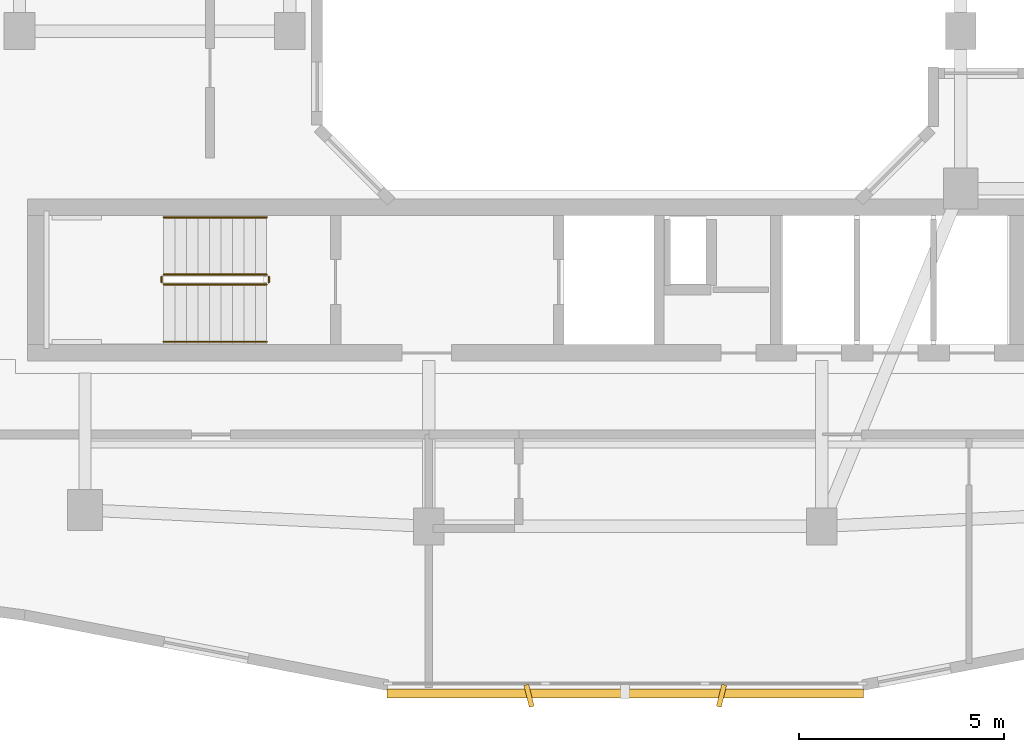
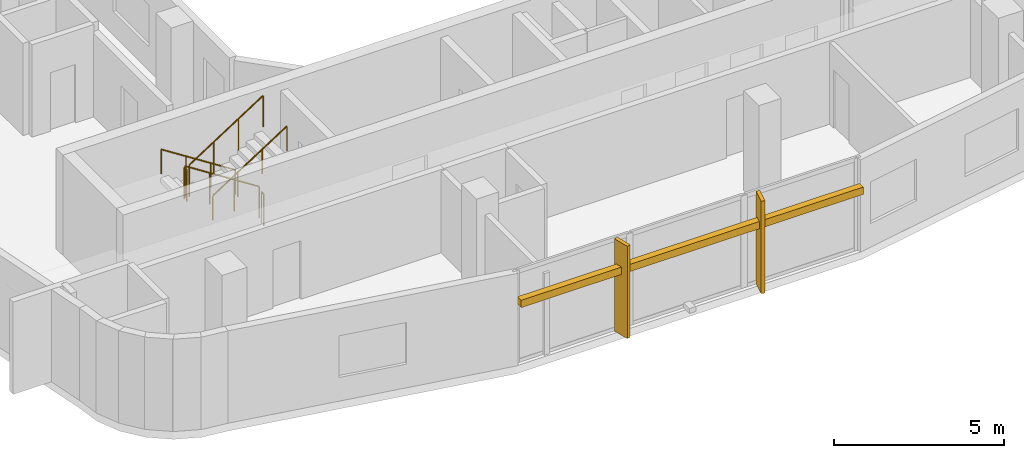
# One storey, part 9 of 12: 6 railings, 3 shading devices.
"""IFC4 building model written with IfcOpenShell, lengths in metres."""

from ifc_helpers import new_model, si_unit, derived_unit, direction, frame, origin, origin_2d, place, context, subcontext, project, spatial, rectangle, circle, extrude, material, type_object, element, save


model = new_model("IFC4")

# Units and contexts
model_context = context("Model", 3, precision=1e-05, world=origin(), true_north=direction((0.0, 1.0)))
body_context = subcontext(model_context, "Body", "Model", "MODEL_VIEW")
ifc_project = project(units=[si_unit("LENGTHUNIT", "METRE"), si_unit("AREAUNIT", "SQUARE_METRE"), si_unit("VOLUMEUNIT", "CUBIC_METRE"), si_unit("PLANEANGLEUNIT", "RADIAN"), si_unit("MASSUNIT", "GRAM", prefix="KILO"), derived_unit("THERMALTRANSMITTANCEUNIT", [(si_unit("POWERUNIT", "WATT"), 1), (si_unit("LENGTHUNIT", "METRE"), -2), (si_unit("THERMODYNAMICTEMPERATUREUNIT", "KELVIN"), -1)])], contexts=[model_context])

# Site, building, storey
site_placement = place(None, origin())
site = spatial("IfcSite", under=ifc_project, at=site_placement, CompositionType="ELEMENT")
building_placement = place(site_placement, origin())
building = spatial("IfcBuilding", under=site, at=building_placement, Name="Kivonza Crest Hotel", CompositionType="ELEMENT")
storey_placement = place(building_placement, frame((0.0, 0.0, 191.89990234375)))
storey = spatial("IfcBuildingStorey", under=building, at=storey_placement, Name="L52", CompositionType="ELEMENT", Elevation=191.89990234375)

# Railings
ifc_material_1 = material(Name="Brushed stainless steel handrail", Category="steel")
railing_type_1 = type_object("IfcRailingType", Name="RL-HAND-900", PredefinedType="HANDRAIL", material=ifc_material_1)
railing_1_placement = place(storey_placement, frame((12.239990234375, 16.949951171875, 0.18017578125)))
element("IfcRailing", 1, at=railing_1_placement, inside=storey, type_object=railing_type_1, Name="L52 ST-T1-S stair handrail 1", PredefinedType="HANDRAIL", context=body_context, shape_type="SweptSolid", body=[
    extrude(circle(Radius=0.02392578125, at=origin_2d()), frame((0.0, 0.0, 0.8759765625), z_axis=(-0.841199657755, 0.0, 0.540724639528), x_axis=(0.0, -1.0, 0.0)), (0.0, 0.0, 1.0), 2.995849609375),
    extrude(circle(Radius=0.02099609375, at=origin_2d()), origin(), (0.0, 0.0, 1.0), 0.851806640625),
    extrude(circle(Radius=0.02099609375, at=origin_2d()), frame((-0.840087890625, 0.0, 0.5400390625)), (0.0, 0.0, 1.0), 0.851806640625),
    extrude(circle(Radius=0.02099609375, at=origin_2d()), frame((-1.679931640625, 0.0, 1.079833984375)), (0.0, 0.0, 1.0), 0.851806640625),
    extrude(circle(Radius=0.02099609375, at=origin_2d()), frame((-2.52001953125, 0.0, 1.619873046875)), (0.0, 0.0, 1.0), 0.851806640625),
])
railing_2_placement = place(storey_placement, frame((9.719970703125, 13.909912109375, 1.97998046875)))
element("IfcRailing", 2, at=railing_2_placement, inside=storey, type_object=railing_type_1, Name="L52 ST-T1-S stair handrail 2", PredefinedType="HANDRAIL", context=body_context, shape_type="SweptSolid", body=[
    extrude(circle(Radius=0.02392578125, at=origin_2d()), frame((0.0, 0.0, 0.8759765625), z_axis=(0.841162588446, 0.0, 0.540782303519), x_axis=(0.0, 1.0, 0.0)), (0.0, 0.0, 1.0), 2.995849609375),
    extrude(circle(Radius=0.02099609375, at=origin_2d()), origin(), (0.0, 0.0, 1.0), 0.851806640625),
    extrude(circle(Radius=0.02099609375, at=origin_2d()), frame((0.840087890625, 0.0, 0.5400390625)), (0.0, 0.0, 1.0), 0.851806640625),
    extrude(circle(Radius=0.02099609375, at=origin_2d()), frame((1.679931640625, 0.0, 1.080078125)), (0.0, 0.0, 1.0), 0.851806640625),
    extrude(circle(Radius=0.02099609375, at=origin_2d()), frame((2.52001953125, 0.0, 1.6201171875)), (0.0, 0.0, 1.0), 0.851806640625),
])
ifc_material_2 = material(Name="Painted steel balustrade", Category="steel")
railing_type_2 = type_object("IfcRailingType", Name="RL-STAIR-1150", PredefinedType="BALUSTRADE", material=ifc_material_2)
railing_3_placement = place(storey_placement, frame((12.239990234375, 15.550048828125, 0.18017578125)))
element("IfcRailing", 3, at=railing_3_placement, inside=storey, type_object=railing_type_2, Name="L52 ST-T1-S stair guard 1", PredefinedType="BALUSTRADE", context=body_context, shape_type="SweptSolid", body=[
    extrude(circle(Radius=0.02392578125, at=origin_2d()), frame((0.0, 0.0, 1.1259765625), z_axis=(-0.841199657755, 0.0, 0.540724639528), x_axis=(0.0, -1.0, 0.0)), (0.0, 0.0, 1.0), 2.995849609375),
    extrude(circle(Radius=0.02099609375, at=origin_2d()), origin(), (0.0, 0.0, 1.0), 1.101806640625),
    extrude(circle(Radius=0.02099609375, at=origin_2d()), frame((-0.840087890625, 0.0, 0.5400390625)), (0.0, 0.0, 1.0), 1.101806640625),
    extrude(circle(Radius=0.02099609375, at=origin_2d()), frame((-1.679931640625, 0.0, 1.079833984375)), (0.0, 0.0, 1.0), 1.101806640625),
    extrude(circle(Radius=0.02099609375, at=origin_2d()), frame((-2.52001953125, 0.0, 1.619873046875)), (0.0, 0.0, 1.0), 1.101806640625),
])
railing_4_placement = place(storey_placement, frame((9.669921875, 15.5, 1.800048828125)))
element("IfcRailing", 4, at=railing_4_placement, inside=storey, type_object=railing_type_2, Name="L52 ST-T1-S stair guard 2", PredefinedType="BALUSTRADE", context=body_context, shape_type="SweptSolid", body=[
    extrude(circle(Radius=0.02392578125, at=origin_2d()), frame((0.0, 0.0, 1.1259765625), z_axis=(0.0, -1.0, 0.0), x_axis=(1.0, 0.0, 0.0)), (0.0, 0.0, 1.0), 0.139892578125),
    extrude(circle(Radius=0.02099609375, at=origin_2d()), origin(), (0.0, 0.0, 1.0), 1.101806640625),
    extrude(circle(Radius=0.02099609375, at=origin_2d()), frame((0.0, -0.139892578125, 0.0)), (0.0, 0.0, 1.0), 1.101806640625),
])
railing_5_placement = place(storey_placement, frame((9.719970703125, 15.31005859375, 1.97998046875)))
element("IfcRailing", 5, at=railing_5_placement, inside=storey, type_object=railing_type_2, Name="L52 ST-T1-S stair guard 3", PredefinedType="BALUSTRADE", context=body_context, shape_type="SweptSolid", body=[
    extrude(circle(Radius=0.02392578125, at=origin_2d()), frame((0.0, 0.0, 1.1259765625), z_axis=(0.841162588446, 0.0, 0.540782303519), x_axis=(0.0, 1.0, 0.0)), (0.0, 0.0, 1.0), 2.995849609375),
    extrude(circle(Radius=0.02099609375, at=origin_2d()), origin(), (0.0, 0.0, 1.0), 1.101806640625),
    extrude(circle(Radius=0.02099609375, at=origin_2d()), frame((0.840087890625, 0.0, 0.5400390625)), (0.0, 0.0, 1.0), 1.101806640625),
    extrude(circle(Radius=0.02099609375, at=origin_2d()), frame((1.679931640625, 0.0, 1.080078125)), (0.0, 0.0, 1.0), 1.101806640625),
    extrude(circle(Radius=0.02099609375, at=origin_2d()), frame((2.52001953125, 0.0, 1.6201171875)), (0.0, 0.0, 1.0), 1.101806640625),
])
railing_6_placement = place(storey_placement, frame((12.2900390625, 15.5, 0.0)))
element("IfcRailing", 6, at=railing_6_placement, inside=storey, type_object=railing_type_2, Name="L52 ST-T1-S stair guard 4", PredefinedType="BALUSTRADE", context=body_context, shape_type="SweptSolid", body=[
    extrude(circle(Radius=0.02392578125, at=origin_2d()), frame((0.0, 0.0, 1.1259765625), z_axis=(0.0, -1.0, 0.0), x_axis=(1.0, 0.0, 0.0)), (0.0, 0.0, 1.0), 0.139892578125),
    extrude(circle(Radius=0.02099609375, at=origin_2d()), origin(), (0.0, 0.0, 1.0), 1.101806640625),
    extrude(circle(Radius=0.02099609375, at=origin_2d()), frame((0.0, -0.139892578125, 0.0)), (0.0, 0.0, 1.0), 1.101806640625),
])

# Shading devices
ifc_material_3 = material(Name="Kiln-fired Nairobi red-ochre terracotta", Category="masonry")
shading_device_type_1 = type_object("IfcShadingDeviceType", Name="SH-BAGUETTE-300", PredefinedType="USERDEFINED", material=ifc_material_3)
shading_device_placement = place(storey_placement, frame((21.0, 5.320068359375, 2.1943359375), z_axis=(0.0, 0.0, 1.0), x_axis=(1.0, 0.0, 0.0)))
element("IfcShadingDevice", 7, at=shading_device_placement, inside=storey, type_object=shading_device_type_1, Name="L52 terracotta baguette screen CW-T1-L52-08", ObjectType="BAGUETTE", PredefinedType="USERDEFINED", context=body_context, shape_type="SweptSolid", body=[
    extrude(rectangle(XDim=11.639892578125, YDim=0.219970703125, at=origin_2d()), origin(), (0.0, 0.0, 1.0), 0.260009765625),
])
ifc_material_4 = material(Name="Kiln-fired terracotta over extruded aluminium spine", Category="masonry")
shading_device_type_2 = type_object("IfcShadingDeviceType", Name="SH-FIN-550", PredefinedType="USERDEFINED", material=ifc_material_4)
for number, where, z_axis, x_axis, name in (
    (8, (18.64794921875, 5.260009765625, 0.0), (0.0, 0.0, 1.0), (0.970295726276, 0.2419218956, 0.0), "L52 vertical solar shading fin CW-T1-L52-08-1"),
    (9, (23.35205078125, 5.260009765625, 0.0), (0.0, 0.0, 1.0), (0.970295726276, -0.2419218956, 0.0), "L52 vertical solar shading fin CW-T1-L52-08-2"),
):
    element("IfcShadingDevice", number, at=place(storey_placement, frame(where, z_axis=z_axis, x_axis=x_axis)), inside=storey, type_object=shading_device_type_2, Name=name, ObjectType="FIN", PredefinedType="USERDEFINED", context=body_context, shape_type="SweptSolid", body=[
        extrude(rectangle(XDim=0.1201171875, YDim=0.550048828125, at=origin_2d()), origin(), (0.0, 0.0, 1.0), 3.320068359375),
    ])

save(model, "model.ifc")
